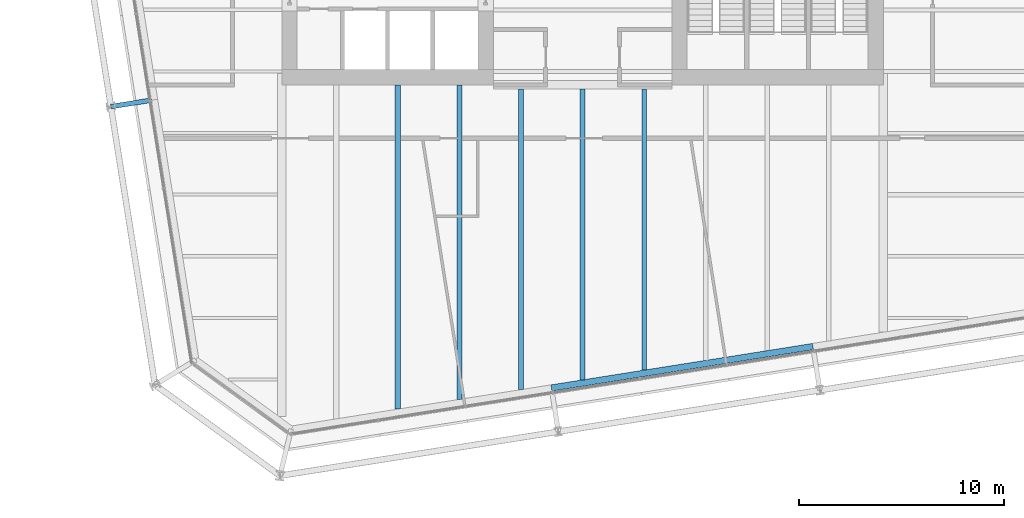
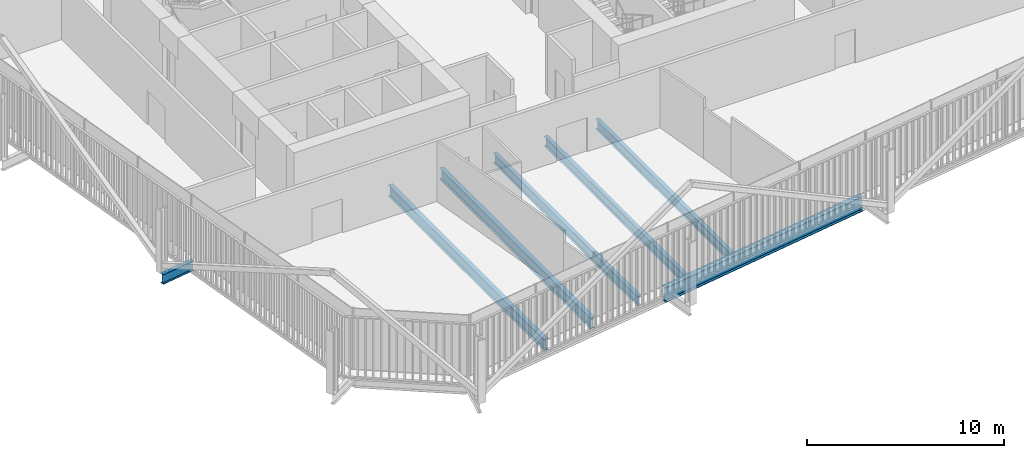
# One storey, part 3 of 22: 7 beams.
"""IFC4 building model written with IfcOpenShell, lengths in metres."""

from ifc_helpers import new_model, si_unit, direction, frame, origin, origin_2d, place, context, subcontext, project, spatial, i_section, extrude, material, material_profile, profile_set, type_object, element, save


model = new_model("IFC4")

# Units and contexts
model_context = context("Model", 3, precision=1e-05, world=origin(), true_north=direction((0.0, 1.0)))
body_context = subcontext(model_context, "Body", "Model", "MODEL_VIEW")
ifc_project = project(units=[si_unit("LENGTHUNIT", "METRE"), si_unit("AREAUNIT", "SQUARE_METRE"), si_unit("VOLUMEUNIT", "CUBIC_METRE"), si_unit("PLANEANGLEUNIT", "RADIAN"), si_unit("MASSUNIT", "GRAM", prefix="KILO")], contexts=[model_context])

# Site, building, storey
site_placement = place(None, origin())
site = spatial("IfcSite", under=ifc_project, at=site_placement, CompositionType="ELEMENT")
building_placement = place(site_placement, origin())
building = spatial("IfcBuilding", under=site, at=building_placement, Name="Millrace Tower", CompositionType="ELEMENT")
storey_placement = place(building_placement, frame((0.0, 0.0, 187.800048828125)))
storey = spatial("IfcBuildingStorey", under=building, at=storey_placement, Name="L42", CompositionType="ELEMENT", Elevation=187.800048828125)

# Beams
ifc_material_1 = material(Name="Steel ASTM A992 Grade 50", Category="steel")
ifc_material_profile_1 = material_profile(ifc_material_1, i_section(OverallWidth=0.228271484375, OverallDepth=0.607177734375, WebThickness=0.01123046875, FlangeThickness=0.017333984375, FilletRadius=0.0126953125, at=origin_2d()))
ifc_profile_set_1 = profile_set([ifc_material_profile_1], Name="Steel ASTM A992 Grade 50")
beam_type_1 = type_object("IfcBeamType", Name="Floor beam W24x76", PredefinedType="JOIST", material=ifc_profile_set_1)
beam_1_placement = place(storey_placement, frame((-3.0, -24.4970703125, -0.463623046875), z_axis=(0.0, 1.0, 0.0), x_axis=(-1.0, 0.0, 0.0)))
element("IfcBeam", 1, at=beam_1_placement, inside=storey, type_object=beam_type_1, Name="BM-C-L42-S1-S046", PredefinedType="JOIST", context=body_context, shape_type="SweptSolid", body=[
    extrude(i_section(OverallWidth=0.228271484375, OverallDepth=0.607177734375, WebThickness=0.01123046875, FlangeThickness=0.017333984375, FilletRadius=0.0126953125, at=origin_2d()), origin(), (0.0, 0.0, 1.0), 14.637451171875),
])
beam_2_placement = place(storey_placement, frame((0.0, -24.021728515625, -0.463623046875), z_axis=(0.0, 1.0, 0.0), x_axis=(-1.0, 0.0, 0.0)))
element("IfcBeam", 2, at=beam_2_placement, inside=storey, type_object=beam_type_1, Name="BM-C-L42-S1-S048", PredefinedType="JOIST", context=body_context, shape_type="SweptSolid", body=[
    extrude(i_section(OverallWidth=0.228271484375, OverallDepth=0.607177734375, WebThickness=0.01123046875, FlangeThickness=0.017333984375, FilletRadius=0.0126953125, at=origin_2d()), origin(), (0.0, 0.0, 1.0), 14.162109375),
])
beam_3_placement = place(storey_placement, frame((3.0, -23.546630859375, -0.463623046875), z_axis=(0.0, 1.0, 0.0), x_axis=(-1.0, 0.0, 0.0)))
element("IfcBeam", 3, at=beam_3_placement, inside=storey, type_object=beam_type_1, Name="BM-C-L42-S1-S050", PredefinedType="JOIST", context=body_context, shape_type="SweptSolid", body=[
    extrude(i_section(OverallWidth=0.228271484375, OverallDepth=0.607177734375, WebThickness=0.01123046875, FlangeThickness=0.017333984375, FilletRadius=0.0126953125, at=origin_2d()), origin(), (0.0, 0.0, 1.0), 13.68701171875),
])
ifc_material_2 = material(Name="Steel ASTM A992 Grade 50", Category="steel")
ifc_material_profile_2 = material_profile(ifc_material_2, i_section(OverallWidth=0.256591796875, OverallDepth=0.693359375, WebThickness=0.014404296875, FlangeThickness=0.023681640625, FilletRadius=0.01513671875, at=origin_2d()))
ifc_profile_set_2 = profile_set([ifc_material_profile_2], Name="Steel ASTM A992 Grade 50")
beam_type_2 = type_object("IfcBeamType", Name="Floor beam W27x114", PredefinedType="JOIST", material=ifc_profile_set_2)
beam_4_placement = place(storey_placement, frame((-9.0, -25.447265625, -0.5068359375), z_axis=(0.0, 1.0, 0.0), x_axis=(-1.0, 0.0, 0.0)))
element("IfcBeam", 4, at=beam_4_placement, inside=storey, type_object=beam_type_2, Name="BM-C-L42-S1-S042", PredefinedType="JOIST", context=body_context, shape_type="SweptSolid", body=[
    extrude(i_section(OverallWidth=0.256591796875, OverallDepth=0.693359375, WebThickness=0.014404296875, FlangeThickness=0.023681640625, FilletRadius=0.01513671875, at=origin_2d()), origin(), (0.0, 0.0, 1.0), 15.79736328125),
])
beam_5_placement = place(storey_placement, frame((-6.0, -24.97216796875, -0.5068359375), z_axis=(0.0, 1.0, 0.0), x_axis=(-1.0, 0.0, 0.0)))
element("IfcBeam", 5, at=beam_5_placement, inside=storey, type_object=beam_type_2, Name="BM-C-L42-S1-S044", PredefinedType="JOIST", context=body_context, shape_type="SweptSolid", body=[
    extrude(i_section(OverallWidth=0.256591796875, OverallDepth=0.693359375, WebThickness=0.014404296875, FlangeThickness=0.023681640625, FilletRadius=0.01513671875, at=origin_2d()), origin(), (0.0, 0.0, 1.0), 15.322265625),
])
ifc_material_3 = material(Name="Steel ASTM A992 Grade 50", Category="steel")
ifc_material_profile_3 = material_profile(ifc_material_3, i_section(OverallWidth=0.23046875, OverallDepth=0.6171875, WebThickness=0.01318359375, FlangeThickness=0.022216796875, FilletRadius=0.012939453125, at=origin_2d()))
ifc_profile_set_3 = profile_set([ifc_material_profile_3], Name="Steel ASTM A992 Grade 50")
beam_type_3 = type_object("IfcBeamType", Name="Link beam W24x94", PredefinedType="BEAM", material=ifc_profile_set_3)
beam_6_placement = place(storey_placement, frame((-21.001708984375, -10.396728515625, -0.46875), z_axis=(-0.987678691416, -0.156495375404, 0.0), x_axis=(0.156495375404, -0.987678691416, 0.0)))
element("IfcBeam", 6, at=beam_6_placement, inside=storey, type_object=beam_type_3, Name="LNK-C-L42-S1-02", PredefinedType="BEAM", context=body_context, shape_type="SweptSolid", body=[
    extrude(i_section(OverallWidth=0.23046875, OverallDepth=0.6171875, WebThickness=0.01318359375, FlangeThickness=0.022216796875, FilletRadius=0.012939453125, at=origin_2d()), origin(), (0.0, 0.0, 1.0), 2.0),
])
ifc_material_4 = material(Name="Steel ASTM A992 Grade 50", Category="steel")
ifc_material_profile_4 = material_profile(ifc_material_4, i_section(OverallWidth=0.307373046875, OverallDepth=0.927001953125, WebThickness=0.01953125, FlangeThickness=0.031982421875, FilletRadius=0.01904296875, at=origin_2d()))
ifc_profile_set_4 = profile_set([ifc_material_profile_4], Name="Steel ASTM A992 Grade 50")
beam_type_4 = type_object("IfcBeamType", Name="Ring beam medium span W36x194", PredefinedType="SPANDREL", material=ifc_profile_set_4)
beam_7_placement = place(storey_placement, frame((11.22265625, -22.39990234375, -0.62353515625), z_axis=(-0.987687196578, -0.156441687909, 0.0), x_axis=(0.156441687909, -0.987687196578, 0.0)))
element("IfcBeam", 7, at=beam_7_placement, inside=storey, type_object=beam_type_4, Name="RNG-C-L42-S1-14", PredefinedType="SPANDREL", context=body_context, shape_type="SweptSolid", body=[
    extrude(i_section(OverallWidth=0.307373046875, OverallDepth=0.927001953125, WebThickness=0.01953125, FlangeThickness=0.031982421875, FilletRadius=0.01904296875, at=origin_2d()), origin(), (0.0, 0.0, 1.0), 12.89990234375),
])

save(model, "model.ifc")
